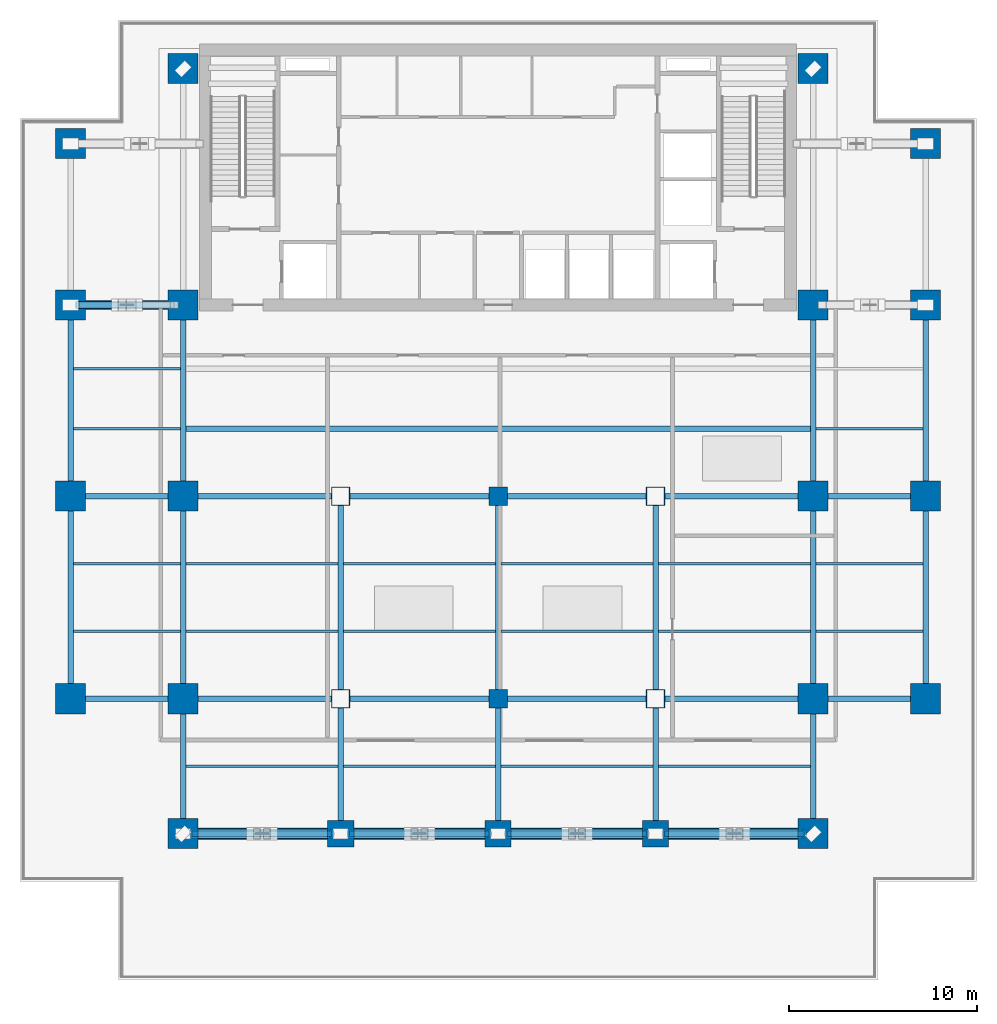
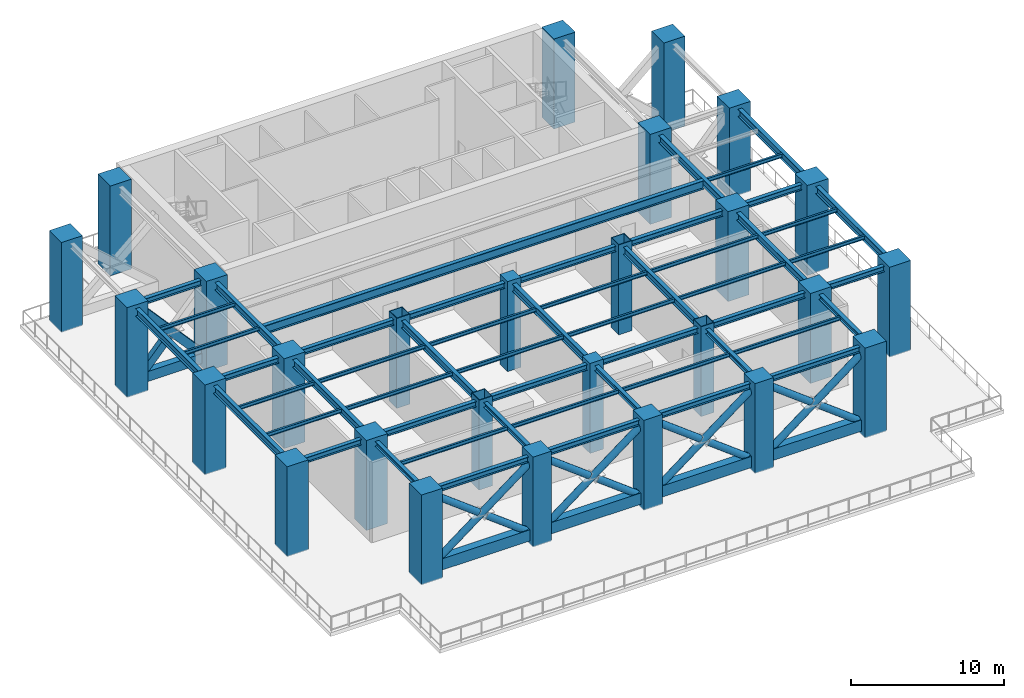
# One storey, part 1 of 9: 58 beams, 27 columns, 14 members.
"""IFC4 building model written with IfcOpenShell, lengths in metres."""

from ifc_helpers import new_model, si_unit, direction, frame, origin, origin_2d, place, context, subcontext, project, spatial, rectangle, hollow_rectangle, hollow_circle, i_section, extrude, source, transform, mapped, material, material_profile, profile_set, type_object, element, save


model = new_model("IFC4")

# Units and contexts
model_context = context("Model", 3, precision=1e-05, world=origin(), true_north=direction((0.0, 1.0)))
body_context = subcontext(model_context, "Body", "Model", "MODEL_VIEW")
ifc_project = project(units=[si_unit("LENGTHUNIT", "METRE"), si_unit("AREAUNIT", "SQUARE_METRE"), si_unit("VOLUMEUNIT", "CUBIC_METRE"), si_unit("PLANEANGLEUNIT", "RADIAN"), si_unit("MASSUNIT", "GRAM", prefix="KILO")], contexts=[model_context])

# Site, building, storey
site_placement = place(None, origin())
site = spatial("IfcSite", under=ifc_project, at=site_placement, CompositionType="ELEMENT")
building_placement = place(site_placement, origin())
building = spatial("IfcBuilding", under=site, at=building_placement, Name="Sumidabori Civic Tower", CompositionType="ELEMENT")
storey_placement = place(building_placement, frame((0.0, 0.0, 124.39990234375)))
storey = spatial("IfcBuildingStorey", under=building, at=storey_placement, Name="L32", CompositionType="ELEMENT", Elevation=124.39990234375)

# Columns
ifc_material_1 = material(Name="Concrete C60/75", Category="concrete")
ifc_material_profile_1 = material_profile(ifc_material_1, rectangle(XDim=1.60009765625, YDim=1.60009765625, at=origin_2d()), Name="RC 1600x1600")
ifc_profile_set_1 = profile_set([ifc_material_profile_1], Name="Concrete C60/75")
column_type_1 = type_object("IfcColumnType", Name="CL-MEGA-1600", PredefinedType="COLUMN", material=ifc_profile_set_1)
shared_shape_1 = source(origin(), body_context, "Body", "SweptSolid", [
    extrude(rectangle(XDim=1.60009765625, YDim=1.60009765625, at=origin_2d()), origin(), (0.0, 0.0, 1.0), 7.2001953125),
])
for number, where, z_axis, x_axis, name in (
    (1, (-16.800048828125, -18.0, 0.0), (0.0, 0.0, 1.0), (1.0, 0.0, 0.0), "Column MC-W16-Y18S L32"),
    (2, (-16.800048828125, -10.800048828125, 0.0), (0.0, 0.0, 1.0), (1.0, 0.0, 0.0), "Column MC-W16-Y11S L32"),
    (3, (-16.800048828125, 0.0, 0.0), (0.0, 0.0, 1.0), (1.0, 0.0, 0.0), "Column MC-W16-Y00 L32"),
    (4, (-16.800048828125, 10.199951171875, 0.0), (0.0, 0.0, 1.0), (1.0, 0.0, 0.0), "Column MC-W16-Y10N L32"),
    (5, (-16.800048828125, 22.800048828125, 0.0), (0.0, 0.0, 1.0), (1.0, 0.0, 0.0), "Column MC-W16-Y23N L32"),
    (6, (16.800048828125, -18.0, 0.0), (0.0, 0.0, 1.0), (1.0, 0.0, 0.0), "Column MC-E16-Y18S L32"),
    (7, (16.800048828125, -10.800048828125, 0.0), (0.0, 0.0, 1.0), (1.0, 0.0, 0.0), "Column MC-E16-Y11S L32"),
    (8, (16.800048828125, 0.0, 0.0), (0.0, 0.0, 1.0), (1.0, 0.0, 0.0), "Column MC-E16-Y00 L32"),
    (9, (16.800048828125, 10.199951171875, 0.0), (0.0, 0.0, 1.0), (1.0, 0.0, 0.0), "Column MC-E16-Y10N L32"),
    (10, (16.800048828125, 22.800048828125, 0.0), (0.0, 0.0, 1.0), (1.0, 0.0, 0.0), "Column MC-E16-Y23N L32"),
    (11, (-22.800048828125, -10.800048828125, 0.0), (0.0, 0.0, 1.0), (1.0, 0.0, 0.0), "Column MC-W23-Y11S L32"),
    (12, (-22.800048828125, 0.0, 0.0), (0.0, 0.0, 1.0), (1.0, 0.0, 0.0), "Column MC-W23-Y00 L32"),
    (13, (-22.800048828125, 10.199951171875, 0.0), (0.0, 0.0, 1.0), (1.0, 0.0, 0.0), "Column MC-W23-Y10N L32"),
    (14, (-22.800048828125, 18.800048828125, 0.0), (0.0, 0.0, 1.0), (1.0, 0.0, 0.0), "Column MC-W23-Y19N L32"),
    (15, (22.800048828125, -10.800048828125, 0.0), (0.0, 0.0, 1.0), (1.0, 0.0, 0.0), "Column MC-E23-Y11S L32"),
    (16, (22.800048828125, 0.0, 0.0), (0.0, 0.0, 1.0), (1.0, 0.0, 0.0), "Column MC-E23-Y00 L32"),
    (17, (22.800048828125, 10.199951171875, 0.0), (0.0, 0.0, 1.0), (1.0, 0.0, 0.0), "Column MC-E23-Y10N L32"),
    (18, (22.800048828125, 18.800048828125, 0.0), (0.0, 0.0, 1.0), (1.0, 0.0, 0.0), "Column MC-E23-Y19N L32"),
):
    element("IfcColumn", number, at=place(storey_placement, frame(where, z_axis=z_axis, x_axis=x_axis)), inside=storey, type_object=column_type_1, Name=name, PredefinedType="COLUMN", context=body_context, shape_type="MappedRepresentation", body=[
        mapped(shared_shape_1, transform((0.0, 0.0, 0.0), x_axis=(1.0, 0.0, 0.0), y_axis=(0.0, 1.0, 0.0), z_axis=(0.0, 0.0, 1.0), scale=1.0)),
    ])
ifc_material_2 = material(Name="Steel SM570", Category="steel")
ifc_material_profile_2 = material_profile(ifc_material_2, hollow_rectangle(XDim=1.0, YDim=1.0, WallThickness=0.044921875, at=origin_2d()), Name="SHS 1000x1000x45")
ifc_profile_set_2 = profile_set([ifc_material_profile_2], Name="Steel SM570")
column_type_2 = type_object("IfcColumnType", Name="CL-PORTAL-SHS1000", PredefinedType="COLUMN", material=ifc_profile_set_2)
shared_shape_2 = source(origin(), body_context, "Body", "SweptSolid", [
    extrude(hollow_rectangle(XDim=1.0, YDim=1.0, WallThickness=0.044921875, at=origin_2d()), origin(), (0.0, 0.0, 1.0), 7.2001953125),
])
for number, where, z_axis, x_axis, name in (
    (19, (-8.39990234375, 0.0, 0.0), (0.0, 0.0, 1.0), (1.0, 0.0, 0.0), "Column MC-W08-Y00 L32"),
    (20, (-8.39990234375, -10.800048828125, 0.0), (0.0, 0.0, 1.0), (1.0, 0.0, 0.0), "Column MC-W08-Y11S L32"),
    (21, (8.39990234375, 0.0, 0.0), (0.0, 0.0, 1.0), (1.0, 0.0, 0.0), "Column MC-E08-Y00 L32"),
    (22, (8.39990234375, -10.800048828125, 0.0), (0.0, 0.0, 1.0), (1.0, 0.0, 0.0), "Column MC-E08-Y11S L32"),
):
    element("IfcColumn", number, at=place(storey_placement, frame(where, z_axis=z_axis, x_axis=x_axis)), inside=storey, type_object=column_type_2, Name=name, PredefinedType="COLUMN", context=body_context, shape_type="MappedRepresentation", body=[
        mapped(shared_shape_2, transform((0.0, 0.0, 0.0), x_axis=(1.0, 0.0, 0.0), y_axis=(0.0, 1.0, 0.0), z_axis=(0.0, 0.0, 1.0), scale=1.0)),
    ])
ifc_material_profile_3 = material_profile(ifc_material_1, rectangle(XDim=1.39990234375, YDim=1.39990234375, at=origin_2d()), Name="RC 1400x1400")
ifc_profile_set_3 = profile_set([ifc_material_profile_3], Name="Concrete C60/75")
column_type_3 = type_object("IfcColumnType", Name="CL-MEGA-1400", PredefinedType="COLUMN", material=ifc_profile_set_3)
shared_shape_3 = source(origin(), body_context, "Body", "SweptSolid", [
    extrude(rectangle(XDim=1.39990234375, YDim=1.39990234375, at=origin_2d()), origin(), (0.0, 0.0, 1.0), 7.2001953125),
])
for number, where, z_axis, x_axis, name in (
    (23, (-8.39990234375, -18.0, 0.0), (0.0, 0.0, 1.0), (1.0, 0.0, 0.0), "Column MC-W08-Y18S L32"),
    (24, (8.39990234375, -18.0, 0.0), (0.0, 0.0, 1.0), (1.0, 0.0, 0.0), "Column MC-E08-Y18S L32"),
    (25, (0.0, -18.0, 0.0), (0.0, 0.0, 1.0), (1.0, 0.0, 0.0), "Column MC-C00-Y18S L32"),
):
    element("IfcColumn", number, at=place(storey_placement, frame(where, z_axis=z_axis, x_axis=x_axis)), inside=storey, type_object=column_type_3, Name=name, PredefinedType="COLUMN", context=body_context, shape_type="MappedRepresentation", body=[
        mapped(shared_shape_3, transform((0.0, 0.0, 0.0), x_axis=(1.0, 0.0, 0.0), y_axis=(0.0, 1.0, 0.0), z_axis=(0.0, 0.0, 1.0), scale=1.0)),
    ])
ifc_material_3 = material(Name="Concrete C50/60", Category="concrete")
ifc_material_profile_4 = material_profile(ifc_material_3, rectangle(XDim=1.0, YDim=1.0, at=origin_2d()), Name="RC 1000x1000")
ifc_profile_set_4 = profile_set([ifc_material_profile_4], Name="Concrete C50/60")
column_type_4 = type_object("IfcColumnType", Name="CL-INT-1000", PredefinedType="COLUMN", material=ifc_profile_set_4)
shared_shape_4 = source(origin(), body_context, "Body", "SweptSolid", [
    extrude(rectangle(XDim=1.0, YDim=1.0, at=origin_2d()), origin(), (0.0, 0.0, 1.0), 7.2001953125),
])
for number, where, z_axis, x_axis, name in (
    (26, (0.0, -10.800048828125, 0.0), (0.0, 0.0, 1.0), (1.0, 0.0, 0.0), "Column MC-C00-Y11S L32"),
    (27, (0.0, 0.0, 0.0), (0.0, 0.0, 1.0), (1.0, 0.0, 0.0), "Column MC-C00-Y00 L32"),
):
    element("IfcColumn", number, at=place(storey_placement, frame(where, z_axis=z_axis, x_axis=x_axis)), inside=storey, type_object=column_type_4, Name=name, PredefinedType="COLUMN", context=body_context, shape_type="MappedRepresentation", body=[
        mapped(shared_shape_4, transform((0.0, 0.0, 0.0), x_axis=(1.0, 0.0, 0.0), y_axis=(0.0, 1.0, 0.0), z_axis=(0.0, 0.0, 1.0), scale=1.0)),
    ])

# Beams
ifc_material_4 = material(Name="Steel SN490", Category="steel")
ifc_material_profile_5 = material_profile(ifc_material_4, i_section(OverallWidth=0.300048828125, OverallDepth=0.39990234375, WebThickness=0.013427734375, FlangeThickness=0.02392578125, at=origin_2d()), Name="HE 400 B")
ifc_profile_set_5 = profile_set([ifc_material_profile_5], Name="Steel SN490")
beam_type_1 = type_object("IfcBeamType", Name="BM-GIRD-400", PredefinedType="BEAM", material=ifc_profile_set_5)
shared_shape_5 = source(origin(), body_context, "Body", "SweptSolid", [
    extrude(i_section(OverallWidth=0.300048828125, OverallDepth=0.39990234375, WebThickness=0.013427734375, FlangeThickness=0.02392578125, at=origin_2d()), origin(), (0.0, 0.0, 1.0), 6.239990234375),
])
for number, where, z_axis, x_axis, name in (
    (28, (-16.800048828125, -17.52001953125, 6.7001953125), (0.0, 1.0, 0.0), (-1.0, 0.0, 0.0), "Primary Girder L32 GY-22"),
    (29, (-8.39990234375, -17.52001953125, 6.7001953125), (0.0, 1.0, 0.0), (-1.0, 0.0, 0.0), "Primary Girder L32 GY-26"),
    (30, (0.0, -17.52001953125, 6.7001953125), (0.0, 1.0, 0.0), (-1.0, 0.0, 0.0), "Primary Girder L32 GY-28"),
    (31, (8.39990234375, -17.52001953125, 6.7001953125), (0.0, 1.0, 0.0), (-1.0, 0.0, 0.0), "Primary Girder L32 GY-30"),
    (32, (16.800048828125, -17.52001953125, 6.7001953125), (0.0, 1.0, 0.0), (-1.0, 0.0, 0.0), "Primary Girder L32 GY-32"),
):
    element("IfcBeam", number, at=place(storey_placement, frame(where, z_axis=z_axis, x_axis=x_axis)), inside=storey, type_object=beam_type_1, Name=name, PredefinedType="BEAM", context=body_context, shape_type="MappedRepresentation", body=[
        mapped(shared_shape_5, transform((0.0, 0.0, 0.0), x_axis=(1.0, 0.0, 0.0), y_axis=(0.0, 1.0, 0.0), z_axis=(0.0, 0.0, 1.0), scale=1.0)),
    ])
ifc_material_profile_6 = material_profile(ifc_material_4, i_section(OverallWidth=0.300048828125, OverallDepth=0.60009765625, WebThickness=0.015380859375, FlangeThickness=0.030029296875, at=origin_2d()), Name="HE 600 B")
ifc_profile_set_6 = profile_set([ifc_material_profile_6], Name="Steel SN490")
beam_type_2 = type_object("IfcBeamType", Name="BM-GIRD-600", PredefinedType="BEAM", material=ifc_profile_set_6)
shared_shape_6 = source(origin(), body_context, "Body", "SweptSolid", [
    extrude(i_section(OverallWidth=0.300048828125, OverallDepth=0.60009765625, WebThickness=0.015380859375, FlangeThickness=0.030029296875, at=origin_2d()), origin(), (0.0, 0.0, 1.0), 9.840087890625),
])
for number, where, z_axis, x_axis, name in (
    (33, (-22.800048828125, -10.320068359375, 6.60009765625), (0.0, 1.0, 0.0), (-1.0, 0.0, 0.0), "Primary Girder L32 GY-19"),
    (34, (-16.800048828125, -10.320068359375, 6.60009765625), (0.0, 1.0, 0.0), (-1.0, 0.0, 0.0), "Primary Girder L32 GY-23"),
    (35, (-8.39990234375, -10.320068359375, 6.60009765625), (0.0, 1.0, 0.0), (-1.0, 0.0, 0.0), "Primary Girder L32 GY-27"),
    (36, (0.0, -10.320068359375, 6.60009765625), (0.0, 1.0, 0.0), (-1.0, 0.0, 0.0), "Primary Girder L32 GY-29"),
    (37, (8.39990234375, -10.320068359375, 6.60009765625), (0.0, 1.0, 0.0), (-1.0, 0.0, 0.0), "Primary Girder L32 GY-31"),
    (38, (16.800048828125, -10.320068359375, 6.60009765625), (0.0, 1.0, 0.0), (-1.0, 0.0, 0.0), "Primary Girder L32 GY-33"),
    (39, (22.800048828125, -10.320068359375, 6.60009765625), (0.0, 1.0, 0.0), (-1.0, 0.0, 0.0), "Primary Girder L32 GY-36"),
):
    element("IfcBeam", number, at=place(storey_placement, frame(where, z_axis=z_axis, x_axis=x_axis)), inside=storey, type_object=beam_type_2, Name=name, PredefinedType="BEAM", context=body_context, shape_type="MappedRepresentation", body=[
        mapped(shared_shape_6, transform((0.0, 0.0, 0.0), x_axis=(1.0, 0.0, 0.0), y_axis=(0.0, 1.0, 0.0), z_axis=(0.0, 0.0, 1.0), scale=1.0)),
    ])
shared_shape_7 = source(origin(), body_context, "Body", "SweptSolid", [
    extrude(i_section(OverallWidth=0.300048828125, OverallDepth=0.60009765625, WebThickness=0.015380859375, FlangeThickness=0.030029296875, at=origin_2d()), origin(), (0.0, 0.0, 1.0), 9.239990234375),
])
for number, where, z_axis, x_axis, name in (
    (40, (-22.800048828125, 0.47998046875, 6.60009765625), (0.0, 1.0, 0.0), (-1.0, 0.0, 0.0), "Primary Girder L32 GY-20"),
    (41, (-16.800048828125, 0.47998046875, 6.60009765625), (0.0, 1.0, 0.0), (-1.0, 0.0, 0.0), "Primary Girder L32 GY-24"),
    (42, (16.800048828125, 0.47998046875, 6.60009765625), (0.0, 1.0, 0.0), (-1.0, 0.0, 0.0), "Primary Girder L32 GY-34"),
    (43, (22.800048828125, 0.47998046875, 6.60009765625), (0.0, 1.0, 0.0), (-1.0, 0.0, 0.0), "Primary Girder L32 GY-37"),
):
    element("IfcBeam", number, at=place(storey_placement, frame(where, z_axis=z_axis, x_axis=x_axis)), inside=storey, type_object=beam_type_2, Name=name, PredefinedType="BEAM", context=body_context, shape_type="MappedRepresentation", body=[
        mapped(shared_shape_7, transform((0.0, 0.0, 0.0), x_axis=(1.0, 0.0, 0.0), y_axis=(0.0, 1.0, 0.0), z_axis=(0.0, 0.0, 1.0), scale=1.0)),
    ])
ifc_material_profile_7 = material_profile(ifc_material_4, i_section(OverallWidth=0.300048828125, OverallDepth=0.699951171875, WebThickness=0.01708984375, FlangeThickness=0.031982421875, at=origin_2d()), Name="HE 700 B")
ifc_profile_set_7 = profile_set([ifc_material_profile_7], Name="Steel SN490")
beam_type_3 = type_object("IfcBeamType", Name="BM-GIRD-700", PredefinedType="BEAM", material=ifc_profile_set_7)
shared_shape_8 = source(origin(), body_context, "Body", "SweptSolid", [
    extrude(i_section(OverallWidth=0.300048828125, OverallDepth=0.699951171875, WebThickness=0.01708984375, FlangeThickness=0.031982421875, at=origin_2d()), origin(), (0.0, 0.0, 1.0), 33.2998046875),
])
beam_1_placement = place(storey_placement, frame((-16.64990234375, 3.60009765625, 6.550048828125), z_axis=(1.0, 0.0, 0.0), x_axis=(0.0, 1.0, 0.0)))
element("IfcBeam", 44, at=beam_1_placement, inside=storey, type_object=beam_type_3, Name="North Bay Floor Beam L32 JSTN-47", PredefinedType="BEAM", context=body_context, shape_type="MappedRepresentation", body=[
    mapped(shared_shape_8, transform((0.0, 0.0, 0.0), x_axis=(1.0, 0.0, 0.0), y_axis=(0.0, 1.0, 0.0), z_axis=(0.0, 0.0, 1.0), scale=1.0)),
])
ifc_material_profile_8 = material_profile(ifc_material_4, i_section(OverallWidth=0.14990234375, OverallDepth=0.300048828125, WebThickness=0.007080078125, FlangeThickness=0.0107421875, at=origin_2d()), Name="IPE 300")
ifc_profile_set_8 = profile_set([ifc_material_profile_8], Name="Steel SN490")
beam_type_4 = type_object("IfcBeamType", Name="BM-JST-300", PredefinedType="JOIST", material=ifc_profile_set_8)
shared_shape_9 = source(origin(), body_context, "Body", "SweptSolid", [
    extrude(i_section(OverallWidth=0.14990234375, OverallDepth=0.300048828125, WebThickness=0.007080078125, FlangeThickness=0.0107421875, at=origin_2d()), origin(), (0.0, 0.0, 1.0), 5.699951171875),
])
for number, where, z_axis, x_axis, name in (
    (45, (-22.64990234375, -7.199951171875, 6.75), (1.0, 0.0, 0.0), (0.0, 1.0, 0.0), "Outer Bay Floor Joist L32 JSTO-39"),
    (46, (16.949951171875, -7.199951171875, 6.75), (1.0, 0.0, 0.0), (0.0, 1.0, 0.0), "Outer Bay Floor Joist L32 JSTO-40"),
    (47, (-22.64990234375, -3.60009765625, 6.75), (1.0, 0.0, 0.0), (0.0, 1.0, 0.0), "Outer Bay Floor Joist L32 JSTO-41"),
    (48, (16.949951171875, -3.60009765625, 6.75), (1.0, 0.0, 0.0), (0.0, 1.0, 0.0), "Outer Bay Floor Joist L32 JSTO-42"),
    (49, (-22.64990234375, 3.60009765625, 6.75), (1.0, 0.0, 0.0), (0.0, 1.0, 0.0), "Outer Bay Floor Joist L32 JSTO-43"),
    (50, (16.949951171875, 3.60009765625, 6.75), (1.0, 0.0, 0.0), (0.0, 1.0, 0.0), "Outer Bay Floor Joist L32 JSTO-44"),
    (51, (-22.64990234375, 6.800048828125, 6.75), (1.0, 0.0, 0.0), (0.0, 1.0, 0.0), "Outer Bay Floor Joist L32 JSTO-45"),
):
    element("IfcBeam", number, at=place(storey_placement, frame(where, z_axis=z_axis, x_axis=x_axis)), inside=storey, type_object=beam_type_4, Name=name, PredefinedType="JOIST", context=body_context, shape_type="MappedRepresentation", body=[
        mapped(shared_shape_9, transform((0.0, 0.0, 0.0), x_axis=(1.0, 0.0, 0.0), y_axis=(0.0, 1.0, 0.0), z_axis=(0.0, 0.0, 1.0), scale=1.0)),
    ])
shared_shape_10 = source(origin(), body_context, "Body", "SweptSolid", [
    extrude(i_section(OverallWidth=0.14990234375, OverallDepth=0.300048828125, WebThickness=0.007080078125, FlangeThickness=0.0107421875, at=origin_2d()), origin(), (0.0, 0.0, 1.0), 8.099853515625),
])
for number, where, z_axis, x_axis, name in (
    (52, (-16.64990234375, -14.39990234375, 6.75), (1.0, 0.0, 0.0), (0.0, 1.0, 0.0), "South Bay Floor Joist L32 JSTS-49"),
    (53, (8.550048828125, -14.39990234375, 6.75), (1.0, 0.0, 0.0), (0.0, 1.0, 0.0), "South Bay Floor Joist L32 JSTS-52"),
    (54, (-16.64990234375, -7.199951171875, 6.75), (1.0, 0.0, 0.0), (0.0, 1.0, 0.0), "South Bay Floor Joist L32 JSTS-53"),
    (55, (8.550048828125, -7.199951171875, 6.75), (1.0, 0.0, 0.0), (0.0, 1.0, 0.0), "South Bay Floor Joist L32 JSTS-56"),
    (56, (-16.64990234375, -3.60009765625, 6.75), (1.0, 0.0, 0.0), (0.0, 1.0, 0.0), "South Bay Floor Joist L32 JSTS-57"),
    (57, (8.550048828125, -3.60009765625, 6.75), (1.0, 0.0, 0.0), (0.0, 1.0, 0.0), "South Bay Floor Joist L32 JSTS-60"),
):
    element("IfcBeam", number, at=place(storey_placement, frame(where, z_axis=z_axis, x_axis=x_axis)), inside=storey, type_object=beam_type_4, Name=name, PredefinedType="JOIST", context=body_context, shape_type="MappedRepresentation", body=[
        mapped(shared_shape_10, transform((0.0, 0.0, 0.0), x_axis=(1.0, 0.0, 0.0), y_axis=(0.0, 1.0, 0.0), z_axis=(0.0, 0.0, 1.0), scale=1.0)),
    ])
shared_shape_11 = source(origin(), body_context, "Body", "SweptSolid", [
    extrude(i_section(OverallWidth=0.14990234375, OverallDepth=0.300048828125, WebThickness=0.007080078125, FlangeThickness=0.0107421875, at=origin_2d()), origin(), (0.0, 0.0, 1.0), 8.10009765625),
])
for number, where, z_axis, x_axis, name in (
    (58, (-8.25, -14.39990234375, 6.75), (1.0, 0.0, 0.0), (0.0, 1.0, 0.0), "South Bay Floor Joist L32 JSTS-50"),
    (59, (0.14990234375, -14.39990234375, 6.75), (1.0, 0.0, 0.0), (0.0, 1.0, 0.0), "South Bay Floor Joist L32 JSTS-51"),
    (60, (-8.25, -7.199951171875, 6.75), (1.0, 0.0, 0.0), (0.0, 1.0, 0.0), "South Bay Floor Joist L32 JSTS-54"),
    (61, (0.14990234375, -7.199951171875, 6.75), (1.0, 0.0, 0.0), (0.0, 1.0, 0.0), "South Bay Floor Joist L32 JSTS-55"),
    (62, (-8.25, -3.60009765625, 6.75), (1.0, 0.0, 0.0), (0.0, 1.0, 0.0), "South Bay Floor Joist L32 JSTS-58"),
    (63, (0.14990234375, -3.60009765625, 6.75), (1.0, 0.0, 0.0), (0.0, 1.0, 0.0), "South Bay Floor Joist L32 JSTS-59"),
):
    element("IfcBeam", number, at=place(storey_placement, frame(where, z_axis=z_axis, x_axis=x_axis)), inside=storey, type_object=beam_type_4, Name=name, PredefinedType="JOIST", context=body_context, shape_type="MappedRepresentation", body=[
        mapped(shared_shape_11, transform((0.0, 0.0, 0.0), x_axis=(1.0, 0.0, 0.0), y_axis=(0.0, 1.0, 0.0), z_axis=(0.0, 0.0, 1.0), scale=1.0)),
    ])
ifc_material_profile_9 = material_profile(ifc_material_4, i_section(OverallWidth=0.300048828125, OverallDepth=0.449951171875, WebThickness=0.013916015625, FlangeThickness=0.02587890625, at=origin_2d()), Name="HE 450 B")
ifc_profile_set_9 = profile_set([ifc_material_profile_9], Name="Steel SN490")
beam_type_5 = type_object("IfcBeamType", Name="BM-GIRD-450", PredefinedType="BEAM", material=ifc_profile_set_9)
shared_shape_12 = source(origin(), body_context, "Body", "SweptSolid", [
    extrude(i_section(OverallWidth=0.300048828125, OverallDepth=0.449951171875, WebThickness=0.013916015625, FlangeThickness=0.02587890625, at=origin_2d()), origin(), (0.0, 0.0, 1.0), 7.440185546875),
])
for number, where, z_axis, x_axis, name in (
    (64, (-16.320068359375, -18.0, 6.675048828125), (1.0, 0.0, 0.0), (0.0, 1.0, 0.0), "Primary Girder L32 GX-01"),
    (65, (8.8798828125, -18.0, 6.675048828125), (1.0, 0.0, 0.0), (0.0, 1.0, 0.0), "Primary Girder L32 GX-04"),
    (66, (-16.320068359375, -10.800048828125, 6.675048828125), (1.0, 0.0, 0.0), (0.0, 1.0, 0.0), "Primary Girder L32 GX-06"),
    (67, (8.8798828125, -10.800048828125, 6.675048828125), (1.0, 0.0, 0.0), (0.0, 1.0, 0.0), "Primary Girder L32 GX-09"),
    (68, (-16.320068359375, 0.0, 6.675048828125), (1.0, 0.0, 0.0), (0.0, 1.0, 0.0), "Primary Girder L32 GX-12"),
    (69, (8.8798828125, 0.0, 6.675048828125), (1.0, 0.0, 0.0), (0.0, 1.0, 0.0), "Primary Girder L32 GX-15"),
):
    element("IfcBeam", number, at=place(storey_placement, frame(where, z_axis=z_axis, x_axis=x_axis)), inside=storey, type_object=beam_type_5, Name=name, PredefinedType="BEAM", context=body_context, shape_type="MappedRepresentation", body=[
        mapped(shared_shape_12, transform((0.0, 0.0, 0.0), x_axis=(1.0, 0.0, 0.0), y_axis=(0.0, 1.0, 0.0), z_axis=(0.0, 0.0, 1.0), scale=1.0)),
    ])
shared_shape_13 = source(origin(), body_context, "Body", "SweptSolid", [
    extrude(i_section(OverallWidth=0.300048828125, OverallDepth=0.449951171875, WebThickness=0.013916015625, FlangeThickness=0.02587890625, at=origin_2d()), origin(), (0.0, 0.0, 1.0), 7.43994140625),
])
for number, where, z_axis, x_axis, name in (
    (70, (-7.919921875, -18.0, 6.675048828125), (1.0, 0.0, 0.0), (0.0, 1.0, 0.0), "Primary Girder L32 GX-02"),
    (71, (0.47998046875, -18.0, 6.675048828125), (1.0, 0.0, 0.0), (0.0, 1.0, 0.0), "Primary Girder L32 GX-03"),
    (72, (-7.919921875, -10.800048828125, 6.675048828125), (1.0, 0.0, 0.0), (0.0, 1.0, 0.0), "Primary Girder L32 GX-07"),
    (73, (0.47998046875, -10.800048828125, 6.675048828125), (1.0, 0.0, 0.0), (0.0, 1.0, 0.0), "Primary Girder L32 GX-08"),
    (74, (-7.919921875, 0.0, 6.675048828125), (1.0, 0.0, 0.0), (0.0, 1.0, 0.0), "Primary Girder L32 GX-13"),
    (75, (0.47998046875, 0.0, 6.675048828125), (1.0, 0.0, 0.0), (0.0, 1.0, 0.0), "Primary Girder L32 GX-14"),
):
    element("IfcBeam", number, at=place(storey_placement, frame(where, z_axis=z_axis, x_axis=x_axis)), inside=storey, type_object=beam_type_5, Name=name, PredefinedType="BEAM", context=body_context, shape_type="MappedRepresentation", body=[
        mapped(shared_shape_13, transform((0.0, 0.0, 0.0), x_axis=(1.0, 0.0, 0.0), y_axis=(0.0, 1.0, 0.0), z_axis=(0.0, 0.0, 1.0), scale=1.0)),
    ])
shared_shape_14 = source(origin(), body_context, "Body", "SweptSolid", [
    extrude(i_section(OverallWidth=0.300048828125, OverallDepth=0.449951171875, WebThickness=0.013916015625, FlangeThickness=0.02587890625, at=origin_2d()), origin(), (0.0, 0.0, 1.0), 5.0400390625),
])
for number, where, z_axis, x_axis, name in (
    (76, (-22.320068359375, -10.800048828125, 6.675048828125), (1.0, 0.0, 0.0), (0.0, 1.0, 0.0), "Primary Girder L32 GX-05"),
    (77, (17.280029296875, -10.800048828125, 6.675048828125), (1.0, 0.0, 0.0), (0.0, 1.0, 0.0), "Primary Girder L32 GX-10"),
    (78, (-22.320068359375, 0.0, 6.675048828125), (1.0, 0.0, 0.0), (0.0, 1.0, 0.0), "Primary Girder L32 GX-11"),
    (79, (17.280029296875, 0.0, 6.675048828125), (1.0, 0.0, 0.0), (0.0, 1.0, 0.0), "Primary Girder L32 GX-16"),
    (80, (-22.320068359375, 10.199951171875, 6.675048828125), (1.0, 0.0, 0.0), (0.0, 1.0, 0.0), "Primary Girder L32 GX-17"),
):
    element("IfcBeam", number, at=place(storey_placement, frame(where, z_axis=z_axis, x_axis=x_axis)), inside=storey, type_object=beam_type_5, Name=name, PredefinedType="BEAM", context=body_context, shape_type="MappedRepresentation", body=[
        mapped(shared_shape_14, transform((0.0, 0.0, 0.0), x_axis=(1.0, 0.0, 0.0), y_axis=(0.0, 1.0, 0.0), z_axis=(0.0, 0.0, 1.0), scale=1.0)),
    ])
ifc_material_profile_10 = material_profile(ifc_material_4, hollow_rectangle(XDim=0.60009765625, YDim=0.89990234375, WallThickness=0.0400390625, at=origin_2d()), Name="RHS 900x600x40")
ifc_profile_set_10 = profile_set([ifc_material_profile_10], Name="Steel SN490")
beam_type_6 = type_object("IfcBeamType", Name="BM-BELT-CHORD", PredefinedType="BEAM", material=ifc_profile_set_10)
shared_shape_15 = source(origin(), body_context, "Body", "SweptSolid", [
    extrude(hollow_rectangle(XDim=0.60009765625, YDim=0.89990234375, WallThickness=0.0400390625, at=origin_2d()), origin(), (0.0, 0.0, 1.0), 7.440185546875),
])
for number, where, z_axis, x_axis, name in (
    (81, (-16.320068359375, -18.0, 0.7001953125), (1.0, 0.0, 0.0), (0.0, 1.0, 0.0), "Belt Truss Bottom Chord L32-1"),
    (82, (8.8798828125, -18.0, 0.7001953125), (1.0, 0.0, 0.0), (0.0, 1.0, 0.0), "Belt Truss Bottom Chord L32-4"),
):
    element("IfcBeam", number, at=place(storey_placement, frame(where, z_axis=z_axis, x_axis=x_axis)), inside=storey, type_object=beam_type_6, Name=name, PredefinedType="BEAM", context=body_context, shape_type="MappedRepresentation", body=[
        mapped(shared_shape_15, transform((0.0, 0.0, 0.0), x_axis=(1.0, 0.0, 0.0), y_axis=(0.0, 1.0, 0.0), z_axis=(0.0, 0.0, 1.0), scale=1.0)),
    ])

# Members
ifc_material_profile_11 = material_profile(ifc_material_4, hollow_circle(Radius=0.25390625, WallThickness=0.02490234375, at=origin_2d()), Name="CHS 508x25")
ifc_profile_set_11 = profile_set([ifc_material_profile_11], Name="Steel SN490")
member_type_1 = type_object("IfcMemberType", Name="MB-BT-DIAG", PredefinedType="BRACE", material=ifc_profile_set_11)
shared_shape_16 = source(origin(), body_context, "Body", "SweptSolid", [
    extrude(hollow_circle(Radius=0.25390625, WallThickness=0.02490234375, at=origin_2d()), origin(), (0.0, 0.0, 1.0), 9.34228515625),
])
for number, where, z_axis, x_axis, name in (
    (83, (-16.320068359375, -18.0, 0.7001953125), (0.796401330472, 0.0, 0.604768485309), (0.0, 1.0, 0.0), "Belt Truss Diagonal L32-D1-1"),
    (84, (8.8798828125, -18.0, 0.7001953125), (0.796401330472, 0.0, 0.604768485309), (0.0, 1.0, 0.0), "Belt Truss Diagonal L32-D1-4"),
):
    element("IfcMember", number, at=place(storey_placement, frame(where, z_axis=z_axis, x_axis=x_axis)), inside=storey, type_object=member_type_1, Name=name, PredefinedType="BRACE", context=body_context, shape_type="MappedRepresentation", body=[
        mapped(shared_shape_16, transform((0.0, 0.0, 0.0), x_axis=(1.0, 0.0, 0.0), y_axis=(0.0, 1.0, 0.0), z_axis=(0.0, 0.0, 1.0), scale=1.0)),
    ])
shared_shape_17 = source(origin(), body_context, "Body", "SweptSolid", [
    extrude(hollow_circle(Radius=0.25390625, WallThickness=0.02490234375, at=origin_2d()), origin(), (0.0, 0.0, 1.0), 4.32421875),
])
for number, where, z_axis, x_axis, name in (
    (85, (-16.320068359375, -18.0, 6.35009765625), (0.796394952397, 0.0, -0.60477688431), (0.0, 1.0, 0.0), "Belt Truss Diagonal L32-D2-1 Lower Segment"),
    (86, (-12.32373046875, -18.0, 3.315185546875), (0.796422144968, 0.0, -0.604741074348), (0.0, 1.0, 0.0), "Belt Truss Diagonal L32-D2-1 Upper Segment"),
    (87, (-7.919921875, -18.0, 6.35009765625), (0.796374301246, 0.0, -0.604804077628), (0.0, 1.0, 0.0), "Belt Truss Diagonal L32-D2-2 Lower Segment"),
    (88, (0.47998046875, -18.0, 6.35009765625), (0.796374301246, 0.0, -0.604804077628), (0.0, 1.0, 0.0), "Belt Truss Diagonal L32-D2-3 Lower Segment"),
    (89, (8.8798828125, -18.0, 6.35009765625), (0.796394952397, 0.0, -0.60477688431), (0.0, 1.0, 0.0), "Belt Truss Diagonal L32-D2-4 Lower Segment"),
    (90, (12.876220703125, -18.0, 3.315185546875), (0.796422144968, 0.0, -0.604741074348), (0.0, 1.0, 0.0), "Belt Truss Diagonal L32-D2-4 Upper Segment"),
):
    element("IfcMember", number, at=place(storey_placement, frame(where, z_axis=z_axis, x_axis=x_axis)), inside=storey, type_object=member_type_1, Name=name, PredefinedType="BRACE", context=body_context, shape_type="MappedRepresentation", body=[
        mapped(shared_shape_17, transform((0.0, 0.0, 0.0), x_axis=(1.0, 0.0, 0.0), y_axis=(0.0, 1.0, 0.0), z_axis=(0.0, 0.0, 1.0), scale=1.0)),
    ])

# Beams
shared_shape_18 = source(origin(), body_context, "Body", "SweptSolid", [
    extrude(hollow_rectangle(XDim=0.60009765625, YDim=0.89990234375, WallThickness=0.0400390625, at=origin_2d()), origin(), (0.0, 0.0, 1.0), 7.43994140625),
])
for number, where, z_axis, x_axis, name in (
    (91, (-7.919921875, -18.0, 0.7001953125), (1.0, 0.0, 0.0), (0.0, 1.0, 0.0), "Belt Truss Bottom Chord L32-2"),
    (92, (0.47998046875, -18.0, 0.7001953125), (1.0, 0.0, 0.0), (0.0, 1.0, 0.0), "Belt Truss Bottom Chord L32-3"),
):
    element("IfcBeam", number, at=place(storey_placement, frame(where, z_axis=z_axis, x_axis=x_axis)), inside=storey, type_object=beam_type_6, Name=name, PredefinedType="BEAM", context=body_context, shape_type="MappedRepresentation", body=[
        mapped(shared_shape_18, transform((0.0, 0.0, 0.0), x_axis=(1.0, 0.0, 0.0), y_axis=(0.0, 1.0, 0.0), z_axis=(0.0, 0.0, 1.0), scale=1.0)),
    ])

# Members
shared_shape_19 = source(origin(), body_context, "Body", "SweptSolid", [
    extrude(hollow_circle(Radius=0.25390625, WallThickness=0.02490234375, at=origin_2d()), origin(), (0.0, 0.0, 1.0), 9.342041015625),
])
for number, where, z_axis, x_axis, name in (
    (93, (-7.919921875, -18.0, 0.7001953125), (0.796391772184, 0.0, 0.604781072123), (0.0, 1.0, 0.0), "Belt Truss Diagonal L32-D1-2"),
    (94, (0.47998046875, -18.0, 0.7001953125), (0.796391772184, 0.0, 0.604781072123), (0.0, 1.0, 0.0), "Belt Truss Diagonal L32-D1-3"),
):
    element("IfcMember", number, at=place(storey_placement, frame(where, z_axis=z_axis, x_axis=x_axis)), inside=storey, type_object=member_type_1, Name=name, PredefinedType="BRACE", context=body_context, shape_type="MappedRepresentation", body=[
        mapped(shared_shape_19, transform((0.0, 0.0, 0.0), x_axis=(1.0, 0.0, 0.0), y_axis=(0.0, 1.0, 0.0), z_axis=(0.0, 0.0, 1.0), scale=1.0)),
    ])
shared_shape_20 = source(origin(), body_context, "Body", "SweptSolid", [
    extrude(hollow_circle(Radius=0.25390625, WallThickness=0.02490234375, at=origin_2d()), origin(), (0.0, 0.0, 1.0), 4.323974609375),
])
for number, where, z_axis, x_axis, name in (
    (95, (-3.923583984375, -18.0, 3.315185546875), (0.796401495557, 0.0, -0.604768267913), (0.0, 1.0, 0.0), "Belt Truss Diagonal L32-D2-2 Upper Segment"),
    (96, (4.476318359375, -18.0, 3.315185546875), (0.796401495557, 0.0, -0.604768267913), (0.0, 1.0, 0.0), "Belt Truss Diagonal L32-D2-3 Upper Segment"),
):
    element("IfcMember", number, at=place(storey_placement, frame(where, z_axis=z_axis, x_axis=x_axis)), inside=storey, type_object=member_type_1, Name=name, PredefinedType="BRACE", context=body_context, shape_type="MappedRepresentation", body=[
        mapped(shared_shape_20, transform((0.0, 0.0, 0.0), x_axis=(1.0, 0.0, 0.0), y_axis=(0.0, 1.0, 0.0), z_axis=(0.0, 0.0, 1.0), scale=1.0)),
    ])

# Beam
ifc_material_profile_12 = material_profile(ifc_material_4, hollow_rectangle(XDim=0.5, YDim=0.800048828125, WallThickness=0.031982421875, at=origin_2d()), Name="RHS 800x500x32")
ifc_profile_set_12 = profile_set([ifc_material_profile_12], Name="Steel SN490")
beam_type_7 = type_object("IfcBeamType", Name="BM-OUTR-CHORD", PredefinedType="BEAM", material=ifc_profile_set_12)
shared_shape_21 = source(origin(), body_context, "Body", "SweptSolid", [
    extrude(hollow_rectangle(XDim=0.5, YDim=0.800048828125, WallThickness=0.031982421875, at=origin_2d()), origin(), (0.0, 0.0, 1.0), 5.0400390625),
])
beam_2_placement = place(storey_placement, frame((-17.280029296875, 10.199951171875, 0.7001953125), z_axis=(-1.0, 0.0, 0.0), x_axis=(0.0, -1.0, 0.0)))
element("IfcBeam", 97, at=beam_2_placement, inside=storey, type_object=beam_type_7, Name="Outrigger Truss Chord L32 W1", PredefinedType="BEAM", context=body_context, shape_type="MappedRepresentation", body=[
    mapped(shared_shape_21, transform((0.0, 0.0, 0.0), x_axis=(1.0, 0.0, 0.0), y_axis=(0.0, 1.0, 0.0), z_axis=(0.0, 0.0, 1.0), scale=1.0)),
])

# Members
ifc_material_profile_13 = material_profile(ifc_material_4, hollow_rectangle(XDim=0.39990234375, YDim=0.60009765625, WallThickness=0.02490234375, at=origin_2d()), Name="RHS 600x400x25")
ifc_profile_set_13 = profile_set([ifc_material_profile_13], Name="Steel SN490")
member_type_2 = type_object("IfcMemberType", Name="MB-OT-DIAG", PredefinedType="BRACE", material=ifc_profile_set_13)
shared_shape_22 = source(origin(), body_context, "Body", "SweptSolid", [
    extrude(hollow_rectangle(XDim=0.39990234375, YDim=0.60009765625, WallThickness=0.02490234375, at=origin_2d()), origin(), (0.0, 0.0, 1.0), 7.5712890625),
])
member_1_placement = place(storey_placement, frame((-17.280029296875, 10.199951171875, 0.7001953125), z_axis=(-0.665683769998, 0.0, 0.746233956854), x_axis=(0.0, -1.0, 0.0)))
element("IfcMember", 98, at=member_1_placement, inside=storey, type_object=member_type_2, Name="Outrigger Truss Diagonal L32 W1A", PredefinedType="BRACE", context=body_context, shape_type="MappedRepresentation", body=[
    mapped(shared_shape_22, transform((0.0, 0.0, 0.0), x_axis=(1.0, 0.0, 0.0), y_axis=(0.0, 1.0, 0.0), z_axis=(0.0, 0.0, 1.0), scale=1.0)),
])
shared_shape_23 = source(origin(), body_context, "Body", "SweptSolid", [
    extrude(hollow_rectangle(XDim=0.39990234375, YDim=0.60009765625, WallThickness=0.02490234375, at=origin_2d()), origin(), (0.0, 0.0, 1.0), 3.437255859375),
])
member_2_placement = place(storey_placement, frame((-20.031982421875, 10.199951171875, 3.26513671875), z_axis=(-0.665685410802, 0.0, -0.746232493159), x_axis=(0.0, -1.0, 0.0)))
element("IfcMember", 99, at=member_2_placement, inside=storey, type_object=member_type_2, Name="Outrigger Truss Diagonal L32 W1B Upper Segment", PredefinedType="BRACE", context=body_context, shape_type="MappedRepresentation", body=[
    mapped(shared_shape_23, transform((0.0, 0.0, 0.0), x_axis=(1.0, 0.0, 0.0), y_axis=(0.0, 1.0, 0.0), z_axis=(0.0, 0.0, 1.0), scale=1.0)),
])

save(model, "model.ifc")
